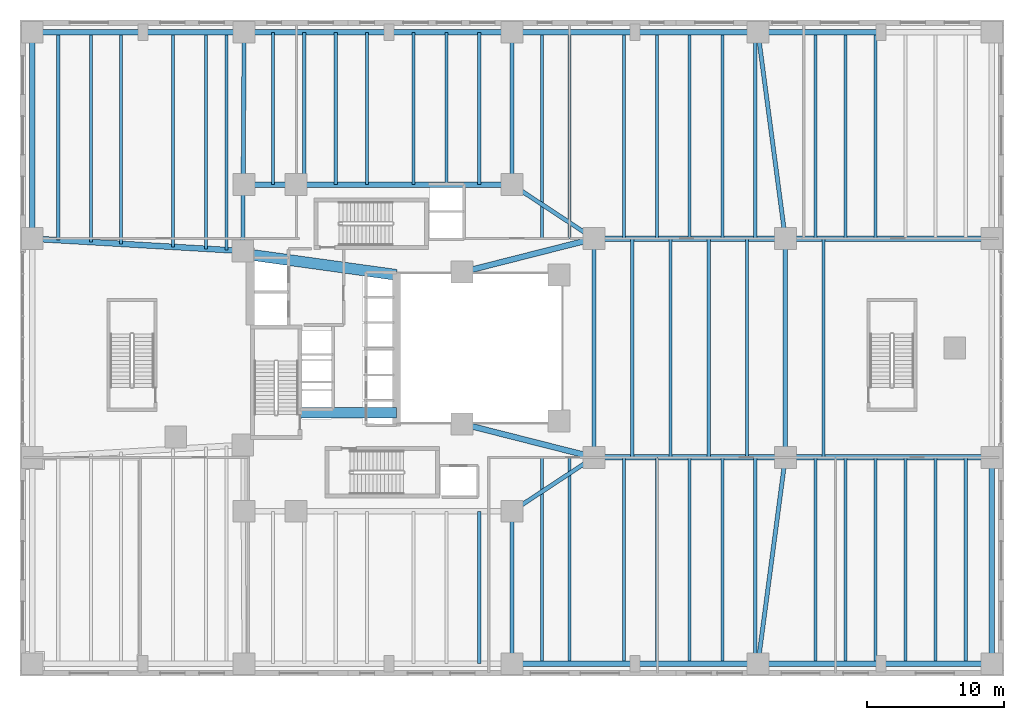
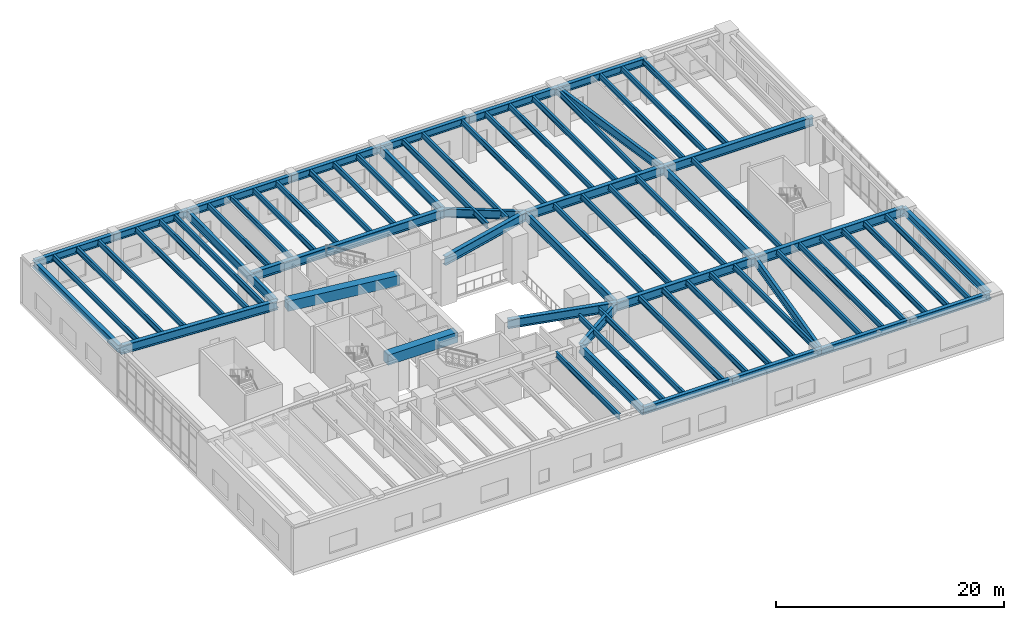
# One storey, part 7 of 18: 74 beams.
"""IFC4 building model written with IfcOpenShell, lengths in metres."""

from ifc_helpers import new_model, si_unit, direction, frame, origin, origin_2d, place, context, subcontext, project, spatial, rectangle, i_section, extrude, material, material_profile, profile_set, type_object, element, save


model = new_model("IFC4")

# Units and contexts
model_context = context("Model", 3, precision=1e-05, world=origin(), true_north=direction((0.0, 1.0)))
body_context = subcontext(model_context, "Body", "Model", "MODEL_VIEW")
ifc_project = project(units=[si_unit("LENGTHUNIT", "METRE"), si_unit("AREAUNIT", "SQUARE_METRE"), si_unit("VOLUMEUNIT", "CUBIC_METRE"), si_unit("PLANEANGLEUNIT", "RADIAN"), si_unit("MASSUNIT", "GRAM", prefix="KILO"), si_unit("THERMODYNAMICTEMPERATUREUNIT", "KELVIN"), si_unit("POWERUNIT", "WATT")], contexts=[model_context])

# Site, building, storey
site_placement = place(None, origin())
site = spatial("IfcSite", under=ifc_project, at=site_placement, CompositionType="ELEMENT")
building_placement = place(site_placement, origin())
building = spatial("IfcBuilding", under=site, at=building_placement, Name="Skarre Station Tower", CompositionType="ELEMENT")
storey_placement = place(building_placement, frame((0.0, 0.0, 11.0)))
storey = spatial("IfcBuildingStorey", under=building, at=storey_placement, Name="L03", CompositionType="ELEMENT", Elevation=11.0)

# Beams
ifc_material_1 = material(Name="Concrete C70/85", Category="concrete")
ifc_material_profile_1 = material_profile(ifc_material_1, rectangle(XDim=0.800048828125, YDim=1.10009765625, at=origin_2d()), Name="Concrete C70/85")
ifc_profile_set_1 = profile_set([ifc_material_profile_1], Name="Concrete C70/85")
beam_type_1 = type_object("IfcBeamType", Name="RC Core Coupling Lintel 800x1100", PredefinedType="LINTEL", material=ifc_profile_set_1)
beam_1_placement = place(storey_placement, frame((20.489990234375, 19.260009765625, 4.139892578125), z_axis=(1.0, 0.0, 0.0), x_axis=(0.0, 1.0, 0.0)))
element("IfcBeam", 1, at=beam_1_placement, inside=storey, type_object=beam_type_1, Name="L03 South Core Coupling Lintel", PredefinedType="LINTEL", context=body_context, shape_type="SweptSolid", body=[
    extrude(rectangle(XDim=0.800048828125, YDim=1.10009765625, at=origin_2d()), origin(), (0.0, 0.0, 1.0), 7.06005859375),
])
beam_2_placement = place(storey_placement, frame((17.050048828125, 30.800048828125, 4.139892578125), z_axis=(0.990599723633, -0.136792498109, 0.0), x_axis=(0.136792498109, 0.990599723633, 0.0)))
element("IfcBeam", 2, at=beam_2_placement, inside=storey, type_object=beam_type_1, Name="L03 North Core Coupling Lintel", PredefinedType="LINTEL", context=body_context, shape_type="SweptSolid", body=[
    extrude(rectangle(XDim=0.800048828125, YDim=1.10009765625, at=origin_2d()), origin(), (0.0, 0.0, 1.0), 10.599609375),
])
ifc_material_2 = material(Name="Steel ASTM A992 Grade 50", Category="steel")
ifc_material_profile_2 = material_profile(ifc_material_2, i_section(OverallWidth=0.30810546875, OverallDepth=0.927001953125, WebThickness=0.01904296875, FlangeThickness=0.031982421875, at=origin_2d()), Name="Steel ASTM A992 Grade 50")
ifc_profile_set_2 = profile_set([ifc_material_profile_2], Name="Steel ASTM A992 Grade 50")
beam_type_2 = type_object("IfcBeamType", Name="Steel Beam W36X194", PredefinedType="BEAM", material=ifc_profile_set_2)
beam_3_placement = place(storey_placement, frame((16.300048828125, 31.10009765625, 4.22607421875), z_axis=(0.006240723195, 0.999980526497, 0.0), x_axis=(-0.999980526497, 0.006240723195, 0.0)))
element("IfcBeam", 3, at=beam_3_placement, inside=storey, type_object=beam_type_2, Name="L03 Concourse Transverse Girder NS2", PredefinedType="BEAM", context=body_context, shape_type="SweptSolid", body=[
    extrude(i_section(OverallWidth=0.30810546875, OverallDepth=0.927001953125, WebThickness=0.01904296875, FlangeThickness=0.031982421875, at=origin_2d()), origin(), (0.0, 0.0, 1.0), 16.000244140625),
])
beam_4_placement = place(storey_placement, frame((36.0, 0.89990234375, 4.22607421875), z_axis=(0.0, 1.0, 0.0), x_axis=(-1.0, 0.0, 0.0)))
element("IfcBeam", 4, at=beam_4_placement, inside=storey, type_object=beam_type_2, Name="L03 Concourse Transverse Girder NS3", PredefinedType="BEAM", context=body_context, shape_type="SweptSolid", body=[
    extrude(i_section(OverallWidth=0.30810546875, OverallDepth=0.927001953125, WebThickness=0.01904296875, FlangeThickness=0.031982421875, at=origin_2d()), origin(), (0.0, 0.0, 1.0), 11.150146484375),
])
beam_5_placement = place(storey_placement, frame((36.0, 12.050048828125, 4.22607421875), z_axis=(0.835251957938, 0.549867408345, 0.0), x_axis=(-0.549867408345, 0.835251957938, 0.0)))
element("IfcBeam", 5, at=beam_5_placement, inside=storey, type_object=beam_type_2, Name="L03 Concourse Transverse Girder NS3B", PredefinedType="BEAM", context=body_context, shape_type="SweptSolid", body=[
    extrude(i_section(OverallWidth=0.30810546875, OverallDepth=0.927001953125, WebThickness=0.01904296875, FlangeThickness=0.031982421875, at=origin_2d()), origin(), (0.0, 0.0, 1.0), 7.183349609375),
])
beam_6_placement = place(storey_placement, frame((42.0, 16.0, 4.22607421875), z_axis=(0.0, 1.0, 0.0), x_axis=(-1.0, 0.0, 0.0)))
element("IfcBeam", 6, at=beam_6_placement, inside=storey, type_object=beam_type_2, Name="L03 Concourse Transverse Girder NS4", PredefinedType="BEAM", context=body_context, shape_type="SweptSolid", body=[
    extrude(i_section(OverallWidth=0.30810546875, OverallDepth=0.927001953125, WebThickness=0.01904296875, FlangeThickness=0.031982421875, at=origin_2d()), origin(), (0.0, 0.0, 1.0), 16.0),
])
beam_7_placement = place(storey_placement, frame((42.0, 32.0, 4.22607421875), z_axis=(-0.835251957938, 0.549867408345, 0.0), x_axis=(-0.549867408345, -0.835251957938, 0.0)))
element("IfcBeam", 7, at=beam_7_placement, inside=storey, type_object=beam_type_2, Name="L03 Concourse Transverse Girder NS5B", PredefinedType="BEAM", context=body_context, shape_type="SweptSolid", body=[
    extrude(i_section(OverallWidth=0.30810546875, OverallDepth=0.927001953125, WebThickness=0.01904296875, FlangeThickness=0.031982421875, at=origin_2d()), origin(), (0.0, 0.0, 1.0), 7.183349609375),
])
beam_8_placement = place(storey_placement, frame((36.0, 35.949951171875, 4.22607421875), z_axis=(0.0, 1.0, 0.0), x_axis=(-1.0, 0.0, 0.0)))
element("IfcBeam", 8, at=beam_8_placement, inside=storey, type_object=beam_type_2, Name="L03 Concourse Transverse Girder NS5", PredefinedType="BEAM", context=body_context, shape_type="SweptSolid", body=[
    extrude(i_section(OverallWidth=0.30810546875, OverallDepth=0.927001953125, WebThickness=0.01904296875, FlangeThickness=0.031982421875, at=origin_2d()), origin(), (0.0, 0.0, 1.0), 11.150146484375),
])
beam_9_placement = place(storey_placement, frame((54.0, 0.89990234375, 4.22607421875), z_axis=(0.131302768537, 0.991342313721, 0.0), x_axis=(-0.991342313721, 0.131302768537, 0.0)))
element("IfcBeam", 9, at=beam_9_placement, inside=storey, type_object=beam_type_2, Name="L03 Concourse Transverse Girder NS6", PredefinedType="BEAM", context=body_context, shape_type="SweptSolid", body=[
    extrude(i_section(OverallWidth=0.30810546875, OverallDepth=0.927001953125, WebThickness=0.01904296875, FlangeThickness=0.031982421875, at=origin_2d()), origin(), (0.0, 0.0, 1.0), 15.23193359375),
])
beam_10_placement = place(storey_placement, frame((56.0, 16.0, 4.22607421875), z_axis=(0.0, 1.0, 0.0), x_axis=(-1.0, 0.0, 0.0)))
element("IfcBeam", 10, at=beam_10_placement, inside=storey, type_object=beam_type_2, Name="L03 Concourse Transverse Girder NS7", PredefinedType="BEAM", context=body_context, shape_type="SweptSolid", body=[
    extrude(i_section(OverallWidth=0.30810546875, OverallDepth=0.927001953125, WebThickness=0.01904296875, FlangeThickness=0.031982421875, at=origin_2d()), origin(), (0.0, 0.0, 1.0), 16.0),
])
beam_11_placement = place(storey_placement, frame((56.0, 32.0, 4.22607421875), z_axis=(-0.131302768537, 0.991342313721, 0.0), x_axis=(-0.991342313721, -0.131302768537, 0.0)))
element("IfcBeam", 11, at=beam_11_placement, inside=storey, type_object=beam_type_2, Name="L03 Concourse Transverse Girder NS8", PredefinedType="BEAM", context=body_context, shape_type="SweptSolid", body=[
    extrude(i_section(OverallWidth=0.30810546875, OverallDepth=0.927001953125, WebThickness=0.01904296875, FlangeThickness=0.031982421875, at=origin_2d()), origin(), (0.0, 0.0, 1.0), 15.23193359375),
])
ifc_material_profile_3 = material_profile(ifc_material_2, i_section(OverallWidth=0.423095703125, OverallDepth=0.947998046875, WebThickness=0.02392578125, FlangeThickness=0.04296875, at=origin_2d()), Name="Steel ASTM A992 Grade 50")
ifc_profile_set_3 = profile_set([ifc_material_profile_3], Name="Steel ASTM A992 Grade 50")
beam_type_3 = type_object("IfcBeamType", Name="Steel Beam W36X302", PredefinedType="BEAM", material=ifc_profile_set_3)
beam_12_placement = place(storey_placement, frame((32.35009765625, 18.449951171875, 4.216064453125), z_axis=(0.969250360418, -0.246076692982, 0.0), x_axis=(0.246076692982, 0.969250360418, 0.0)))
element("IfcBeam", 12, at=beam_12_placement, inside=storey, type_object=beam_type_3, Name="L03 Concourse Primary Girder EW2", PredefinedType="BEAM", context=body_context, shape_type="SweptSolid", body=[
    extrude(i_section(OverallWidth=0.423095703125, OverallDepth=0.947998046875, WebThickness=0.02392578125, FlangeThickness=0.04296875, at=origin_2d()), origin(), (0.0, 0.0, 1.0), 9.9560546875),
])
beam_13_placement = place(storey_placement, frame((42.0, 16.0, 4.216064453125), z_axis=(1.0, 0.0, 0.0), x_axis=(0.0, 1.0, 0.0)))
element("IfcBeam", 13, at=beam_13_placement, inside=storey, type_object=beam_type_3, Name="L03 Concourse Primary Girder EW3", PredefinedType="BEAM", context=body_context, shape_type="SweptSolid", body=[
    extrude(i_section(OverallWidth=0.423095703125, OverallDepth=0.947998046875, WebThickness=0.02392578125, FlangeThickness=0.04296875, at=origin_2d()), origin(), (0.0, 0.0, 1.0), 14.0),
])
beam_14_placement = place(storey_placement, frame((56.0, 16.0, 4.216064453125), z_axis=(1.0, 0.0, 0.0), x_axis=(0.0, 1.0, 0.0)))
element("IfcBeam", 14, at=beam_14_placement, inside=storey, type_object=beam_type_3, Name="L03 Concourse Primary Girder EW4", PredefinedType="BEAM", context=body_context, shape_type="SweptSolid", body=[
    extrude(i_section(OverallWidth=0.423095703125, OverallDepth=0.947998046875, WebThickness=0.02392578125, FlangeThickness=0.04296875, at=origin_2d()), origin(), (0.0, 0.0, 1.0), 15.10009765625),
])
beam_15_placement = place(storey_placement, frame((0.89990234375, 32.0, 4.216064453125), z_axis=(0.99829705511, -0.05833515029, 0.0), x_axis=(0.05833515029, 0.99829705511, 0.0)))
element("IfcBeam", 15, at=beam_15_placement, inside=storey, type_object=beam_type_3, Name="L03 Concourse Primary Girder EW5", PredefinedType="BEAM", context=body_context, shape_type="SweptSolid", body=[
    extrude(i_section(OverallWidth=0.423095703125, OverallDepth=0.947998046875, WebThickness=0.02392578125, FlangeThickness=0.04296875, at=origin_2d()), origin(), (0.0, 0.0, 1.0), 15.426513671875),
])
beam_16_placement = place(storey_placement, frame((32.35009765625, 29.550048828125, 4.216064453125), z_axis=(0.969250360418, 0.246076692982, 0.0), x_axis=(-0.246076692982, 0.969250360418, 0.0)))
element("IfcBeam", 16, at=beam_16_placement, inside=storey, type_object=beam_type_3, Name="L03 Concourse Primary Girder EW6", PredefinedType="BEAM", context=body_context, shape_type="SweptSolid", body=[
    extrude(i_section(OverallWidth=0.423095703125, OverallDepth=0.947998046875, WebThickness=0.02392578125, FlangeThickness=0.04296875, at=origin_2d()), origin(), (0.0, 0.0, 1.0), 9.9560546875),
])
beam_17_placement = place(storey_placement, frame((42.0, 32.0, 4.216064453125), z_axis=(1.0, 0.0, 0.0), x_axis=(0.0, 1.0, 0.0)))
element("IfcBeam", 17, at=beam_17_placement, inside=storey, type_object=beam_type_3, Name="L03 Concourse Primary Girder EW7", PredefinedType="BEAM", context=body_context, shape_type="SweptSolid", body=[
    extrude(i_section(OverallWidth=0.423095703125, OverallDepth=0.947998046875, WebThickness=0.02392578125, FlangeThickness=0.04296875, at=origin_2d()), origin(), (0.0, 0.0, 1.0), 14.0),
])
beam_18_placement = place(storey_placement, frame((56.0, 32.0, 4.216064453125), z_axis=(1.0, 0.0, 0.0), x_axis=(0.0, 1.0, 0.0)))
element("IfcBeam", 18, at=beam_18_placement, inside=storey, type_object=beam_type_3, Name="L03 Concourse Primary Girder EW8", PredefinedType="BEAM", context=body_context, shape_type="SweptSolid", body=[
    extrude(i_section(OverallWidth=0.423095703125, OverallDepth=0.947998046875, WebThickness=0.02392578125, FlangeThickness=0.04296875, at=origin_2d()), origin(), (0.0, 0.0, 1.0), 15.10009765625),
])
beam_19_placement = place(storey_placement, frame((16.39990234375, 35.949951171875, 4.216064453125), z_axis=(1.0, 0.0, 0.0), x_axis=(0.0, 1.0, 0.0)))
element("IfcBeam", 19, at=beam_19_placement, inside=storey, type_object=beam_type_3, Name="L03 Concourse Primary Girder HDRN", PredefinedType="BEAM", context=body_context, shape_type="SweptSolid", body=[
    extrude(i_section(OverallWidth=0.423095703125, OverallDepth=0.947998046875, WebThickness=0.02392578125, FlangeThickness=0.04296875, at=origin_2d()), origin(), (0.0, 0.0, 1.0), 19.60009765625),
])
ifc_material_profile_4 = material_profile(ifc_material_2, i_section(OverallWidth=0.22802734375, OverallDepth=0.60791015625, WebThickness=0.010986328125, FlangeThickness=0.01708984375, at=origin_2d()), Name="Steel ASTM A992 Grade 50")
ifc_profile_set_4 = profile_set([ifc_material_profile_4], Name="Steel ASTM A992 Grade 50")
beam_type_4 = type_object("IfcBeamType", Name="Steel Joist W24X76", PredefinedType="JOIST", material=ifc_profile_set_4)
beam_20_placement = place(storey_placement, frame((2.800048828125, 31.888916015625, 4.385986328125), z_axis=(0.0, 1.0, 0.0), x_axis=(-1.0, 0.0, 0.0)))
element("IfcBeam", 20, at=beam_20_placement, inside=storey, type_object=beam_type_4, Name="L03 North Bay Joist 1", PredefinedType="JOIST", context=body_context, shape_type="SweptSolid", body=[
    extrude(i_section(OverallWidth=0.22802734375, OverallDepth=0.60791015625, WebThickness=0.010986328125, FlangeThickness=0.01708984375, at=origin_2d()), origin(), (0.0, 0.0, 1.0), 15.211181640625),
])
beam_21_placement = place(storey_placement, frame((5.199951171875, 31.7490234375, 4.385986328125), z_axis=(0.0, 1.0, 0.0), x_axis=(-1.0, 0.0, 0.0)))
element("IfcBeam", 21, at=beam_21_placement, inside=storey, type_object=beam_type_4, Name="L03 North Bay Joist 2", PredefinedType="JOIST", context=body_context, shape_type="SweptSolid", body=[
    extrude(i_section(OverallWidth=0.22802734375, OverallDepth=0.60791015625, WebThickness=0.010986328125, FlangeThickness=0.01708984375, at=origin_2d()), origin(), (0.0, 0.0, 1.0), 15.35107421875),
])
beam_22_placement = place(storey_placement, frame((7.39990234375, 31.6201171875, 4.385986328125), z_axis=(0.0, 1.0, 0.0), x_axis=(-1.0, 0.0, 0.0)))
element("IfcBeam", 22, at=beam_22_placement, inside=storey, type_object=beam_type_4, Name="L03 North Bay Joist 3", PredefinedType="JOIST", context=body_context, shape_type="SweptSolid", body=[
    extrude(i_section(OverallWidth=0.22802734375, OverallDepth=0.60791015625, WebThickness=0.010986328125, FlangeThickness=0.01708984375, at=origin_2d()), origin(), (0.0, 0.0, 1.0), 15.47998046875),
])
beam_23_placement = place(storey_placement, frame((11.199951171875, 31.39794921875, 4.385986328125), z_axis=(0.0, 1.0, 0.0), x_axis=(-1.0, 0.0, 0.0)))
element("IfcBeam", 23, at=beam_23_placement, inside=storey, type_object=beam_type_4, Name="L03 North Bay Joist 4", PredefinedType="JOIST", context=body_context, shape_type="SweptSolid", body=[
    extrude(i_section(OverallWidth=0.22802734375, OverallDepth=0.60791015625, WebThickness=0.010986328125, FlangeThickness=0.01708984375, at=origin_2d()), origin(), (0.0, 0.0, 1.0), 15.7021484375),
])
beam_24_placement = place(storey_placement, frame((13.60009765625, 31.258056640625, 4.385986328125), z_axis=(0.0, 1.0, 0.0), x_axis=(-1.0, 0.0, 0.0)))
element("IfcBeam", 24, at=beam_24_placement, inside=storey, type_object=beam_type_4, Name="L03 North Bay Joist 5", PredefinedType="JOIST", context=body_context, shape_type="SweptSolid", body=[
    extrude(i_section(OverallWidth=0.22802734375, OverallDepth=0.60791015625, WebThickness=0.010986328125, FlangeThickness=0.01708984375, at=origin_2d()), origin(), (0.0, 0.0, 1.0), 15.842041015625),
])
beam_25_placement = place(storey_placement, frame((15.10009765625, 31.169921875, 4.385986328125), z_axis=(0.0, 1.0, 0.0), x_axis=(-1.0, 0.0, 0.0)))
element("IfcBeam", 25, at=beam_25_placement, inside=storey, type_object=beam_type_4, Name="L03 North Bay Joist 6", PredefinedType="JOIST", context=body_context, shape_type="SweptSolid", body=[
    extrude(i_section(OverallWidth=0.22802734375, OverallDepth=0.60791015625, WebThickness=0.010986328125, FlangeThickness=0.01708984375, at=origin_2d()), origin(), (0.0, 0.0, 1.0), 15.93017578125),
])
for number, where, z_axis, x_axis, name in (
    (26, (18.5, 35.949951171875, 4.385986328125), (0.0, 1.0, 0.0), (-1.0, 0.0, 0.0), "L03 North Bay Joist 7"),
    (27, (20.800048828125, 35.949951171875, 4.385986328125), (0.0, 1.0, 0.0), (-1.0, 0.0, 0.0), "L03 North Bay Joist 8"),
    (28, (23.10009765625, 35.949951171875, 4.385986328125), (0.0, 1.0, 0.0), (-1.0, 0.0, 0.0), "L03 North Bay Joist 9"),
    (29, (25.39990234375, 35.949951171875, 4.385986328125), (0.0, 1.0, 0.0), (-1.0, 0.0, 0.0), "L03 North Bay Joist 10"),
    (30, (28.800048828125, 35.949951171875, 4.385986328125), (0.0, 1.0, 0.0), (-1.0, 0.0, 0.0), "L03 North Bay Joist 11"),
    (31, (31.199951171875, 35.949951171875, 4.385986328125), (0.0, 1.0, 0.0), (-1.0, 0.0, 0.0), "L03 North Bay Joist 12"),
    (32, (33.60009765625, 0.89990234375, 4.385986328125), (0.0, 1.0, 0.0), (-1.0, 0.0, 0.0), "L03 South Bay Joist 13"),
    (33, (33.60009765625, 35.949951171875, 4.385986328125), (0.0, 1.0, 0.0), (-1.0, 0.0, 0.0), "L03 North Bay Joist 13"),
):
    element("IfcBeam", number, at=place(storey_placement, frame(where, z_axis=z_axis, x_axis=x_axis)), inside=storey, type_object=beam_type_4, Name=name, PredefinedType="JOIST", context=body_context, shape_type="SweptSolid", body=[
        extrude(i_section(OverallWidth=0.22802734375, OverallDepth=0.60791015625, WebThickness=0.010986328125, FlangeThickness=0.01708984375, at=origin_2d()), origin(), (0.0, 0.0, 1.0), 11.150146484375),
    ])
for number, where, z_axis, x_axis, name in (
    (34, (38.199951171875, 0.89990234375, 4.385986328125), (0.0, 1.0, 0.0), (-1.0, 0.0, 0.0), "L03 South Bay Joist 14"),
    (35, (38.199951171875, 32.0, 4.385986328125), (0.0, 1.0, 0.0), (-1.0, 0.0, 0.0), "L03 North Bay Joist 14"),
    (36, (40.199951171875, 0.89990234375, 4.385986328125), (0.0, 1.0, 0.0), (-1.0, 0.0, 0.0), "L03 South Bay Joist 15"),
    (37, (40.199951171875, 32.0, 4.385986328125), (0.0, 1.0, 0.0), (-1.0, 0.0, 0.0), "L03 North Bay Joist 15"),
    (38, (44.199951171875, 0.89990234375, 4.385986328125), (0.0, 1.0, 0.0), (-1.0, 0.0, 0.0), "L03 South Bay Joist 16"),
    (39, (44.199951171875, 32.0, 4.385986328125), (0.0, 1.0, 0.0), (-1.0, 0.0, 0.0), "L03 North Bay Joist 16"),
    (40, (46.60009765625, 0.89990234375, 4.385986328125), (0.0, 1.0, 0.0), (-1.0, 0.0, 0.0), "L03 South Bay Joist 17"),
    (41, (46.60009765625, 32.0, 4.385986328125), (0.0, 1.0, 0.0), (-1.0, 0.0, 0.0), "L03 North Bay Joist 17"),
    (42, (49.0, 0.89990234375, 4.385986328125), (0.0, 1.0, 0.0), (-1.0, 0.0, 0.0), "L03 South Bay Joist 18"),
    (43, (49.0, 32.0, 4.385986328125), (0.0, 1.0, 0.0), (-1.0, 0.0, 0.0), "L03 North Bay Joist 18"),
    (44, (51.39990234375, 0.89990234375, 4.385986328125), (0.0, 1.0, 0.0), (-1.0, 0.0, 0.0), "L03 South Bay Joist 19"),
    (45, (51.39990234375, 32.0, 4.385986328125), (0.0, 1.0, 0.0), (-1.0, 0.0, 0.0), "L03 North Bay Joist 19"),
    (46, (53.800048828125, 0.89990234375, 4.385986328125), (0.0, 1.0, 0.0), (-1.0, 0.0, 0.0), "L03 South Bay Joist 20"),
    (47, (53.800048828125, 32.0, 4.385986328125), (0.0, 1.0, 0.0), (-1.0, 0.0, 0.0), "L03 North Bay Joist 20"),
    (48, (58.199951171875, 0.89990234375, 4.385986328125), (0.0, 1.0, 0.0), (-1.0, 0.0, 0.0), "L03 South Bay Joist 21"),
    (49, (58.199951171875, 32.0, 4.385986328125), (0.0, 1.0, 0.0), (-1.0, 0.0, 0.0), "L03 North Bay Joist 21"),
    (50, (60.39990234375, 0.89990234375, 4.385986328125), (0.0, 1.0, 0.0), (-1.0, 0.0, 0.0), "L03 South Bay Joist 22"),
    (51, (60.39990234375, 32.0, 4.385986328125), (0.0, 1.0, 0.0), (-1.0, 0.0, 0.0), "L03 North Bay Joist 22"),
    (52, (62.60009765625, 0.89990234375, 4.385986328125), (0.0, 1.0, 0.0), (-1.0, 0.0, 0.0), "L03 South Bay Joist 23"),
    (53, (62.60009765625, 32.0, 4.385986328125), (0.0, 1.0, 0.0), (-1.0, 0.0, 0.0), "L03 North Bay Joist 23"),
    (54, (64.800048828125, 0.89990234375, 4.385986328125), (0.0, 1.0, 0.0), (-1.0, 0.0, 0.0), "L03 South Bay Joist 24"),
    (55, (67.0, 0.89990234375, 4.385986328125), (0.0, 1.0, 0.0), (-1.0, 0.0, 0.0), "L03 South Bay Joist 25"),
    (56, (69.199951171875, 0.89990234375, 4.385986328125), (0.0, 1.0, 0.0), (-1.0, 0.0, 0.0), "L03 South Bay Joist 26"),
):
    element("IfcBeam", number, at=place(storey_placement, frame(where, z_axis=z_axis, x_axis=x_axis)), inside=storey, type_object=beam_type_4, Name=name, PredefinedType="JOIST", context=body_context, shape_type="SweptSolid", body=[
        extrude(i_section(OverallWidth=0.22802734375, OverallDepth=0.60791015625, WebThickness=0.010986328125, FlangeThickness=0.01708984375, at=origin_2d()), origin(), (0.0, 0.0, 1.0), 15.10009765625),
    ])
for number, where, z_axis, x_axis, name in (
    (57, (44.800048828125, 16.0, 4.385986328125), (0.0, 1.0, 0.0), (-1.0, 0.0, 0.0), "L03 Central Concourse Joist 1"),
    (58, (47.60009765625, 16.0, 4.385986328125), (0.0, 1.0, 0.0), (-1.0, 0.0, 0.0), "L03 Central Concourse Joist 2"),
    (59, (50.39990234375, 16.0, 4.385986328125), (0.0, 1.0, 0.0), (-1.0, 0.0, 0.0), "L03 Central Concourse Joist 3"),
    (60, (53.199951171875, 16.0, 4.385986328125), (0.0, 1.0, 0.0), (-1.0, 0.0, 0.0), "L03 Central Concourse Joist 4"),
    (61, (58.800048828125, 16.0, 4.385986328125), (0.0, 1.0, 0.0), (-1.0, 0.0, 0.0), "L03 Central Concourse Joist 5"),
):
    element("IfcBeam", number, at=place(storey_placement, frame(where, z_axis=z_axis, x_axis=x_axis)), inside=storey, type_object=beam_type_4, Name=name, PredefinedType="JOIST", context=body_context, shape_type="SweptSolid", body=[
        extrude(i_section(OverallWidth=0.22802734375, OverallDepth=0.60791015625, WebThickness=0.010986328125, FlangeThickness=0.01708984375, at=origin_2d()), origin(), (0.0, 0.0, 1.0), 16.0),
    ])
ifc_material_profile_5 = material_profile(ifc_material_2, i_section(OverallWidth=0.384033203125, OverallDepth=0.785888671875, WebThickness=0.02001953125, FlangeThickness=0.032958984375, at=origin_2d()), Name="Steel ASTM A992 Grade 50")
ifc_profile_set_5 = profile_set([ifc_material_profile_5], Name="Steel ASTM A992 Grade 50")
beam_type_5 = type_object("IfcBeamType", Name="Steel Spandrel W30X211", PredefinedType="SPANDREL", material=ifc_profile_set_5)
beam_26_placement = place(storey_placement, frame((0.89990234375, 47.10009765625, 4.297119140625), z_axis=(1.0, 0.0, 0.0), x_axis=(0.0, 1.0, 0.0)))
element("IfcBeam", 62, at=beam_26_placement, inside=storey, type_object=beam_type_5, Name="L03 North Podium Spandrel 1", PredefinedType="SPANDREL", context=body_context, shape_type="SweptSolid", body=[
    extrude(i_section(OverallWidth=0.384033203125, OverallDepth=0.785888671875, WebThickness=0.02001953125, FlangeThickness=0.032958984375, at=origin_2d()), origin(), (0.0, 0.0, 1.0), 8.10009765625),
])
beam_27_placement = place(storey_placement, frame((9.0, 47.10009765625, 4.297119140625), z_axis=(1.0, 0.0, 0.0), x_axis=(0.0, 1.0, 0.0)))
element("IfcBeam", 63, at=beam_27_placement, inside=storey, type_object=beam_type_5, Name="L03 North Podium Spandrel 2", PredefinedType="SPANDREL", context=body_context, shape_type="SweptSolid", body=[
    extrude(i_section(OverallWidth=0.384033203125, OverallDepth=0.785888671875, WebThickness=0.02001953125, FlangeThickness=0.032958984375, at=origin_2d()), origin(), (0.0, 0.0, 1.0), 7.39990234375),
])
beam_28_placement = place(storey_placement, frame((16.39990234375, 47.10009765625, 4.297119140625), z_axis=(1.0, 0.0, 0.0), x_axis=(0.0, 1.0, 0.0)))
element("IfcBeam", 64, at=beam_28_placement, inside=storey, type_object=beam_type_5, Name="L03 North Podium Spandrel 3", PredefinedType="SPANDREL", context=body_context, shape_type="SweptSolid", body=[
    extrude(i_section(OverallWidth=0.384033203125, OverallDepth=0.785888671875, WebThickness=0.02001953125, FlangeThickness=0.032958984375, at=origin_2d()), origin(), (0.0, 0.0, 1.0), 10.60009765625),
])
for number, where, z_axis, x_axis, name in (
    (65, (27.0, 47.10009765625, 4.297119140625), (1.0, 0.0, 0.0), (0.0, 1.0, 0.0), "L03 North Podium Spandrel 4"),
    (66, (36.0, 0.89990234375, 4.297119140625), (1.0, 0.0, 0.0), (0.0, 1.0, 0.0), "L03 South Podium Spandrel 5"),
    (67, (36.0, 47.10009765625, 4.297119140625), (1.0, 0.0, 0.0), (0.0, 1.0, 0.0), "L03 North Podium Spandrel 5"),
    (68, (45.0, 0.89990234375, 4.297119140625), (1.0, 0.0, 0.0), (0.0, 1.0, 0.0), "L03 South Podium Spandrel 6"),
    (69, (45.0, 47.10009765625, 4.297119140625), (1.0, 0.0, 0.0), (0.0, 1.0, 0.0), "L03 North Podium Spandrel 6"),
    (70, (54.0, 0.89990234375, 4.297119140625), (1.0, 0.0, 0.0), (0.0, 1.0, 0.0), "L03 South Podium Spandrel 7"),
    (71, (54.0, 47.10009765625, 4.297119140625), (1.0, 0.0, 0.0), (0.0, 1.0, 0.0), "L03 North Podium Spandrel 7"),
):
    element("IfcBeam", number, at=place(storey_placement, frame(where, z_axis=z_axis, x_axis=x_axis)), inside=storey, type_object=beam_type_5, Name=name, PredefinedType="SPANDREL", context=body_context, shape_type="SweptSolid", body=[
        extrude(i_section(OverallWidth=0.384033203125, OverallDepth=0.785888671875, WebThickness=0.02001953125, FlangeThickness=0.032958984375, at=origin_2d()), origin(), (0.0, 0.0, 1.0), 9.0),
    ])
beam_29_placement = place(storey_placement, frame((63.0, 0.89990234375, 4.297119140625), z_axis=(1.0, 0.0, 0.0), x_axis=(0.0, 1.0, 0.0)))
element("IfcBeam", 72, at=beam_29_placement, inside=storey, type_object=beam_type_5, Name="L03 South Podium Spandrel 8", PredefinedType="SPANDREL", context=body_context, shape_type="SweptSolid", body=[
    extrude(i_section(OverallWidth=0.384033203125, OverallDepth=0.785888671875, WebThickness=0.02001953125, FlangeThickness=0.032958984375, at=origin_2d()), origin(), (0.0, 0.0, 1.0), 8.10009765625),
])
for number, where, z_axis, x_axis, name in (
    (73, (71.10009765625, 0.89990234375, 4.297119140625), (0.0, 1.0, 0.0), (-1.0, 0.0, 0.0), "L03 East Podium Spandrel 1"),
    (74, (0.89990234375, 32.0, 4.297119140625), (0.0, 1.0, 0.0), (-1.0, 0.0, 0.0), "L03 West Podium Spandrel 3"),
):
    element("IfcBeam", number, at=place(storey_placement, frame(where, z_axis=z_axis, x_axis=x_axis)), inside=storey, type_object=beam_type_5, Name=name, PredefinedType="SPANDREL", context=body_context, shape_type="SweptSolid", body=[
        extrude(i_section(OverallWidth=0.384033203125, OverallDepth=0.785888671875, WebThickness=0.02001953125, FlangeThickness=0.032958984375, at=origin_2d()), origin(), (0.0, 0.0, 1.0), 15.10009765625),
    ])

save(model, "model.ifc")
